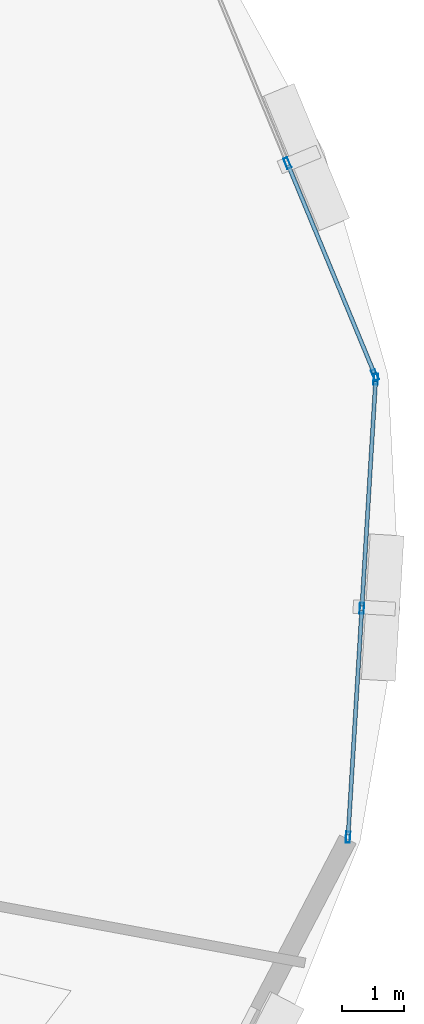
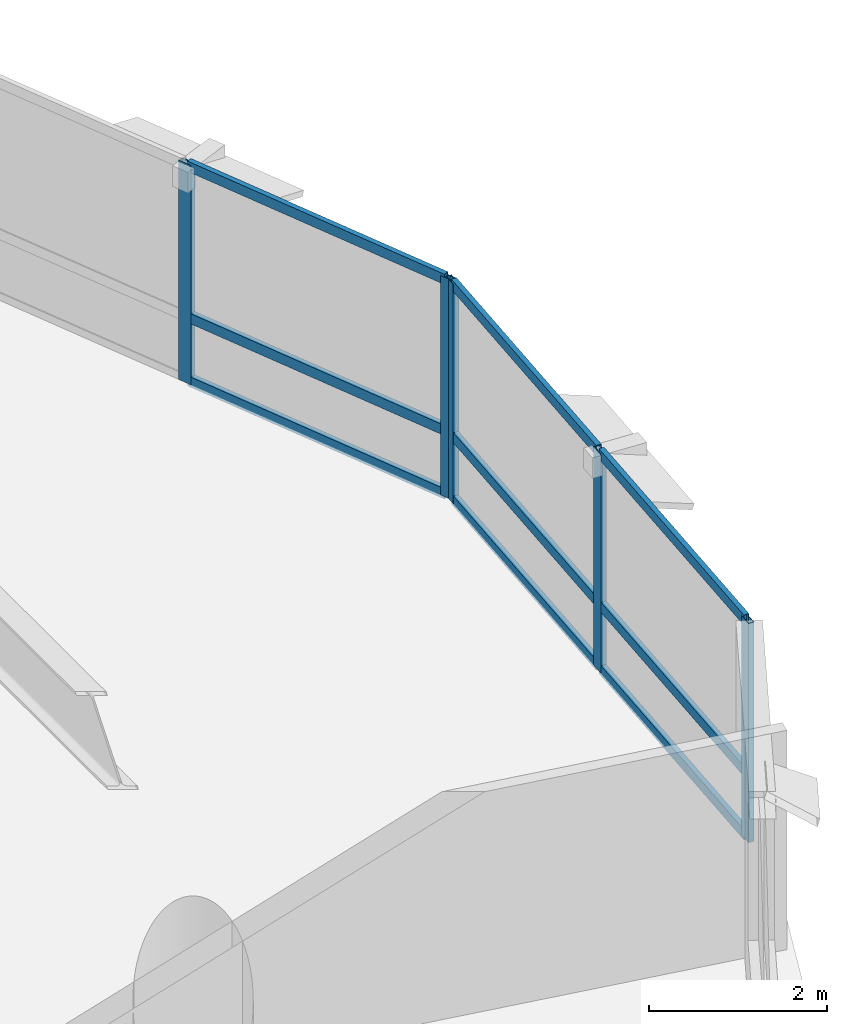
# One storey, part 8 of 17: 14 members, 2 elements without a shape of their own.
"""IFC4 building model written with IfcOpenShell, lengths in metres."""

from ifc_helpers import new_model, si_unit, direction, frame, origin, origin_2d, place, context, subcontext, project, spatial, hollow_rectangle, extrude, material, layer, layer_set, material_profile, profile_set, type_object, element, aggregate, save


model = new_model("IFC4")

# Units and contexts
model_context = context("Model", 3, precision=1e-05, world=origin(), true_north=direction((0.0, 1.0)))
body_context = subcontext(model_context, "Body", "Model", "MODEL_VIEW")
ifc_project = project(units=[si_unit("LENGTHUNIT", "METRE"), si_unit("AREAUNIT", "SQUARE_METRE"), si_unit("VOLUMEUNIT", "CUBIC_METRE"), si_unit("PLANEANGLEUNIT", "RADIAN"), si_unit("MASSUNIT", "GRAM", prefix="KILO"), si_unit("THERMODYNAMICTEMPERATUREUNIT", "KELVIN"), si_unit("POWERUNIT", "WATT")], contexts=[model_context])

# Site, building, storey
site_placement = place(None, origin())
site = spatial("IfcSite", under=ifc_project, at=site_placement, CompositionType="ELEMENT")
building_placement = place(site_placement, origin())
building = spatial("IfcBuilding", under=site, at=building_placement, Name="Ocrelia Relay Tower", CompositionType="ELEMENT")
storey_placement = place(building_placement, frame((0.0, 0.0, 72.0)))
storey = spatial("IfcBuildingStorey", under=building, at=storey_placement, Name="L16", CompositionType="ELEMENT", Elevation=72.0)

# Curtain wall, members
ifc_material_1 = material(Name="Aluminium and solar-control low-E glass", Category="aluminium")
ifc_layer = layer(ifc_material_1, 0.179931640625, Name="Aluminium and solar-control low-E glass")
ifc_layer_set = layer_set([ifc_layer], Name="Aluminium and solar-control low-E glass")
curtain_wall_type = type_object("IfcCurtainWallType", Name="CW-SYS-Z1-DATA", PredefinedType="NOTDEFINED", material=ifc_layer_set)
curtain_wall_1_placement = place(storey_placement, origin())
curtain_wall_1 = element("IfcCurtainWall", 1, at=curtain_wall_1_placement, inside=storey, type_object=curtain_wall_type, Name="L16 Elliptical Tower Curtain Wall Bay 01", PredefinedType="NOTDEFINED")
ifc_material_2 = material(Name="Anodised bronze aluminium", Category="aluminium")
ifc_material_profile_1 = material_profile(ifc_material_2, hollow_rectangle(XDim=0.070068359375, YDim=0.179931640625, WallThickness=0.006103515625, at=origin_2d()), Name="CW-MUL-180x70")
ifc_profile_set_1 = profile_set([ifc_material_profile_1], Name="Anodised bronze aluminium")
member_type_1 = type_object("IfcMemberType", Name="CW-SYS-Z1-DATA-MUL", PredefinedType="MULLION", material=ifc_profile_set_1)
member_1_placement = place(storey_placement, frame((61.4052734375, 30.62060546875, 0.0), z_axis=(0.0, 0.0, 1.0), x_axis=(-0.924146666429, -0.382037876302, 0.0)))
member_1 = element("IfcMember", 2, at=member_1_placement, type_object=member_type_1, Name="CW-Z1 mullion 1", PredefinedType="MULLION", context=body_context, shape_type="SweptSolid", body=[
    extrude(hollow_rectangle(XDim=0.070068359375, YDim=0.179931640625, WallThickness=0.006103515625, at=origin_2d()), origin(), (0.0, 0.0, 1.0), 3.0),
])
member_2_placement = place(storey_placement, frame((59.99072265625, 34.04248046875, 0.0), z_axis=(0.0, 0.0, 1.0), x_axis=(-0.924146666429, -0.382037876302, 0.0)))
member_2 = element("IfcMember", 3, at=member_2_placement, type_object=member_type_1, Name="CW-Z1 mullion 2", PredefinedType="MULLION", context=body_context, shape_type="SweptSolid", body=[
    extrude(hollow_rectangle(XDim=0.070068359375, YDim=0.179931640625, WallThickness=0.006103515625, at=origin_2d()), origin(), (0.0, 0.0, 1.0), 3.0),
])

curtain_wall_2_placement = place(storey_placement, origin())
curtain_wall_2 = element("IfcCurtainWall", 4, at=curtain_wall_2_placement, inside=storey, type_object=curtain_wall_type, Name="L16 Elliptical Tower Curtain Wall Bay 18", PredefinedType="NOTDEFINED")
member_3_placement = place(storey_placement, frame((60.9697265625, 23.161376953125, 0.0), z_axis=(0.0, 0.0, 1.0), x_axis=(-0.998177615517, 0.060344410517, 0.0)))
member_3 = element("IfcMember", 5, at=member_3_placement, type_object=member_type_1, Name="CW-Z1 mullion 1", PredefinedType="MULLION", context=body_context, shape_type="SweptSolid", body=[
    extrude(hollow_rectangle(XDim=0.070068359375, YDim=0.179931640625, WallThickness=0.006103515625, at=origin_2d()), origin(), (0.0, 0.0, 1.0), 3.0),
])
member_4_placement = place(storey_placement, frame((61.193115234375, 26.857421875, 0.0), z_axis=(0.0, 0.0, 1.0), x_axis=(-0.998177615517, 0.060344410517, 0.0)))
member_4 = element("IfcMember", 6, at=member_4_placement, type_object=member_type_1, Name="CW-Z1 mullion 2", PredefinedType="MULLION", context=body_context, shape_type="SweptSolid", body=[
    extrude(hollow_rectangle(XDim=0.070068359375, YDim=0.179931640625, WallThickness=0.006103515625, at=origin_2d()), origin(), (0.0, 0.0, 1.0), 3.0),
])
member_5_placement = place(storey_placement, frame((61.41650390625, 30.553466796875, 0.0), z_axis=(0.0, 0.0, 1.0), x_axis=(-0.998177615517, 0.060344410517, 0.0)))
member_5 = element("IfcMember", 7, at=member_5_placement, type_object=member_type_1, Name="CW-Z1 mullion 3", PredefinedType="MULLION", context=body_context, shape_type="SweptSolid", body=[
    extrude(hollow_rectangle(XDim=0.070068359375, YDim=0.179931640625, WallThickness=0.006103515625, at=origin_2d()), origin(), (0.0, 0.0, 1.0), 3.0),
])

# Member
ifc_material_profile_2 = material_profile(ifc_material_2, hollow_rectangle(XDim=0.06494140625, YDim=0.139892578125, WallThickness=0.0048828125, at=origin_2d()), Name="CW-TRN-140x65")
ifc_profile_set_2 = profile_set([ifc_material_profile_2], Name="Anodised bronze aluminium")
member_type_2 = type_object("IfcMemberType", Name="CW-SYS-Z1-DATA-TRN", PredefinedType="USERDEFINED", material=ifc_profile_set_2)
member_6_placement = place(storey_placement, frame((61.391845703125, 30.653076171875, 0.032470703125), z_axis=(-0.382003518295, 0.924160869119, 0.0), x_axis=(-0.924160869119, -0.382003518295, 0.0)))
member_6 = element("IfcMember", 8, at=member_6_placement, type_object=member_type_2, Name="CW-Z1 transom 1.1", ObjectType="TRANSOM", PredefinedType="USERDEFINED", context=body_context, shape_type="SweptSolid", body=[
    extrude(hollow_rectangle(XDim=0.06494140625, YDim=0.139892578125, WallThickness=0.0048828125, at=origin_2d()), origin(), (0.0, 0.0, 1.0), 3.632568359375),
])

member_7_placement = place(storey_placement, frame((61.391845703125, 30.653076171875, 0.89990234375), z_axis=(-0.382003518295, 0.924160869119, 0.0), x_axis=(-0.924160869119, -0.382003518295, 0.0)))
member_7 = element("IfcMember", 9, at=member_7_placement, type_object=member_type_2, Name="CW-Z1 transom 1.2", ObjectType="TRANSOM", PredefinedType="USERDEFINED", context=body_context, shape_type="SweptSolid", body=[
    extrude(hollow_rectangle(XDim=0.06494140625, YDim=0.139892578125, WallThickness=0.0048828125, at=origin_2d()), origin(), (0.0, 0.0, 1.0), 3.632568359375),
])

member_8_placement = place(storey_placement, frame((61.391845703125, 30.653076171875, 2.967529296875), z_axis=(-0.382003518295, 0.924160869119, 0.0), x_axis=(-0.924160869119, -0.382003518295, 0.0)))
member_8 = element("IfcMember", 10, at=member_8_placement, type_object=member_type_2, Name="CW-Z1 transom 1.3", ObjectType="TRANSOM", PredefinedType="USERDEFINED", context=body_context, shape_type="SweptSolid", body=[
    extrude(hollow_rectangle(XDim=0.06494140625, YDim=0.139892578125, WallThickness=0.0048828125, at=origin_2d()), origin(), (0.0, 0.0, 1.0), 3.632568359375),
])

aggregate(curtain_wall_1, [member_1, member_2, member_6, member_7, member_8])

member_9_placement = place(storey_placement, frame((60.971923828125, 23.1962890625, 0.032470703125), z_axis=(0.060282010582, 0.998181385922, 0.0), x_axis=(-0.998181385922, 0.060282010582, 0.0)))
member_9 = element("IfcMember", 11, at=member_9_placement, type_object=member_type_2, Name="CW-Z1 transom 1.1", ObjectType="TRANSOM", PredefinedType="USERDEFINED", context=body_context, shape_type="SweptSolid", body=[
    extrude(hollow_rectangle(XDim=0.06494140625, YDim=0.139892578125, WallThickness=0.0048828125, at=origin_2d()), origin(), (0.0, 0.0, 1.0), 3.6328125),
])

member_10_placement = place(storey_placement, frame((60.971923828125, 23.1962890625, 0.89990234375), z_axis=(0.060282010582, 0.998181385922, 0.0), x_axis=(-0.998181385922, 0.060282010582, 0.0)))
member_10 = element("IfcMember", 12, at=member_10_placement, type_object=member_type_2, Name="CW-Z1 transom 1.2", ObjectType="TRANSOM", PredefinedType="USERDEFINED", context=body_context, shape_type="SweptSolid", body=[
    extrude(hollow_rectangle(XDim=0.06494140625, YDim=0.139892578125, WallThickness=0.0048828125, at=origin_2d()), origin(), (0.0, 0.0, 1.0), 3.6328125),
])

member_11_placement = place(storey_placement, frame((60.971923828125, 23.1962890625, 2.967529296875), z_axis=(0.060282010582, 0.998181385922, 0.0), x_axis=(-0.998181385922, 0.060282010582, 0.0)))
member_11 = element("IfcMember", 13, at=member_11_placement, type_object=member_type_2, Name="CW-Z1 transom 1.3", ObjectType="TRANSOM", PredefinedType="USERDEFINED", context=body_context, shape_type="SweptSolid", body=[
    extrude(hollow_rectangle(XDim=0.06494140625, YDim=0.139892578125, WallThickness=0.0048828125, at=origin_2d()), origin(), (0.0, 0.0, 1.0), 3.6328125),
])

member_12_placement = place(storey_placement, frame((61.1953125, 26.892333984375, 0.032470703125), z_axis=(0.060353018542, 0.998177095085, 0.0), x_axis=(-0.998177095085, 0.060353018542, 0.0)))
member_12 = element("IfcMember", 14, at=member_12_placement, type_object=member_type_2, Name="CW-Z1 transom 2.1", ObjectType="TRANSOM", PredefinedType="USERDEFINED", context=body_context, shape_type="SweptSolid", body=[
    extrude(hollow_rectangle(XDim=0.06494140625, YDim=0.139892578125, WallThickness=0.0048828125, at=origin_2d()), origin(), (0.0, 0.0, 1.0), 3.632568359375),
])

member_13_placement = place(storey_placement, frame((61.1953125, 26.892333984375, 0.89990234375), z_axis=(0.060353018542, 0.998177095085, 0.0), x_axis=(-0.998177095085, 0.060353018542, 0.0)))
member_13 = element("IfcMember", 15, at=member_13_placement, type_object=member_type_2, Name="CW-Z1 transom 2.2", ObjectType="TRANSOM", PredefinedType="USERDEFINED", context=body_context, shape_type="SweptSolid", body=[
    extrude(hollow_rectangle(XDim=0.06494140625, YDim=0.139892578125, WallThickness=0.0048828125, at=origin_2d()), origin(), (0.0, 0.0, 1.0), 3.632568359375),
])

member_14_placement = place(storey_placement, frame((61.1953125, 26.892333984375, 2.967529296875), z_axis=(0.060353018542, 0.998177095085, 0.0), x_axis=(-0.998177095085, 0.060353018542, 0.0)))
member_14 = element("IfcMember", 16, at=member_14_placement, type_object=member_type_2, Name="CW-Z1 transom 2.3", ObjectType="TRANSOM", PredefinedType="USERDEFINED", context=body_context, shape_type="SweptSolid", body=[
    extrude(hollow_rectangle(XDim=0.06494140625, YDim=0.139892578125, WallThickness=0.0048828125, at=origin_2d()), origin(), (0.0, 0.0, 1.0), 3.632568359375),
])

aggregate(curtain_wall_2, [member_3, member_4, member_5, member_9, member_10, member_11, member_12, member_13, member_14])

save(model, "model.ifc")
